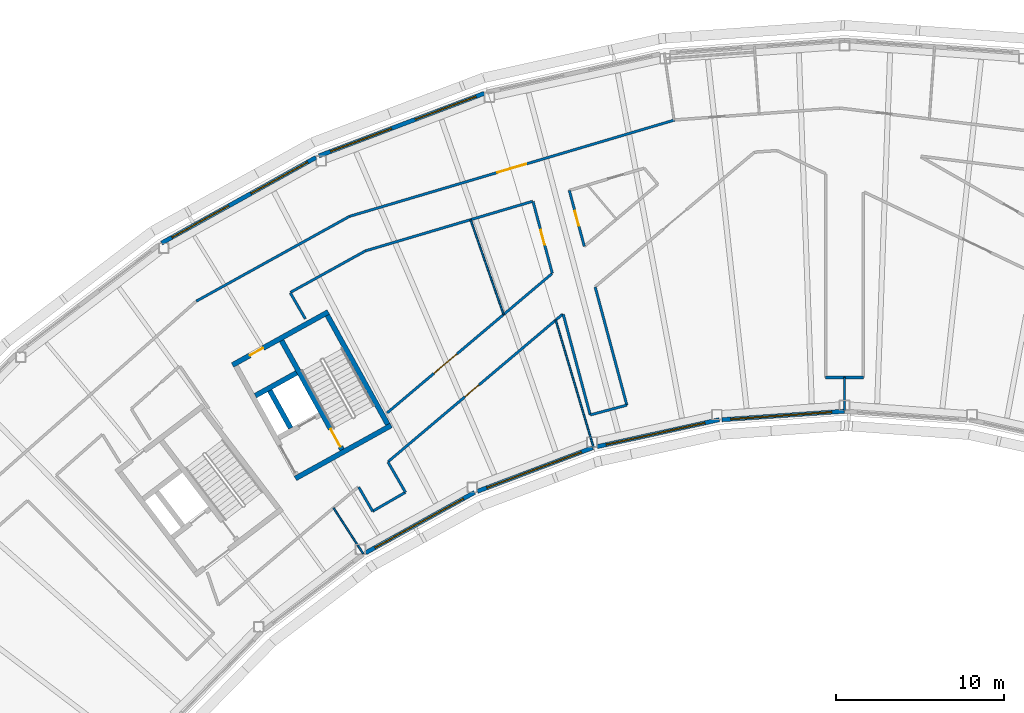
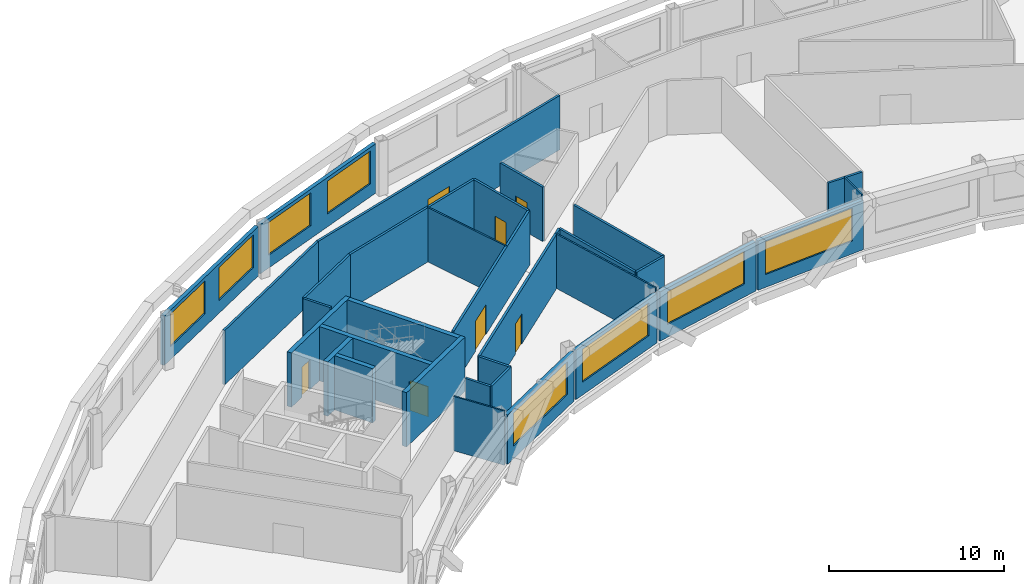
# One storey, part 6 of 17: 32 walls, 8 windows, 7 doors, 15 openings.
"""IFC4 building model written with IfcOpenShell, lengths in metres."""

from ifc_helpers import new_model, si_unit, direction, frame, frame_2d, origin, place, context, subcontext, project, spatial, rectangle, extrude, material, layer, layer_set, type_object, element, fill, save


model = new_model("IFC4")

# Units and contexts
model_context = context("Model", 3, precision=1e-05, world=origin(), true_north=direction((0.0, 1.0)))
body_context = subcontext(model_context, "Body", "Model", "MODEL_VIEW")
ifc_project = project(units=[si_unit("LENGTHUNIT", "METRE"), si_unit("AREAUNIT", "SQUARE_METRE"), si_unit("VOLUMEUNIT", "CUBIC_METRE"), si_unit("PLANEANGLEUNIT", "RADIAN"), si_unit("MASSUNIT", "GRAM", prefix="KILO")], contexts=[model_context])

# Site, building, storey
site_placement = place(None, origin())
site = spatial("IfcSite", under=ifc_project, at=site_placement, CompositionType="ELEMENT")
building_placement = place(site_placement, origin())
building = spatial("IfcBuilding", under=site, at=building_placement, Name="Tuul Gate Civic Tower", CompositionType="ELEMENT")
storey_placement = place(building_placement, frame((0.0, 0.0, 344.89990234375)))
storey = spatial("IfcBuildingStorey", under=building, at=storey_placement, Name="Level 78", CompositionType="ELEMENT", Elevation=344.89990234375)

# Walls
ifc_material_1 = material(Name="Concrete C50/60", Category="concrete")
ifc_layer_1 = layer(ifc_material_1, 0.300048828125)
ifc_layer_set_1 = layer_set([ifc_layer_1], Name="Concrete C50/60")
wall_type_1 = type_object("IfcWallType", Name="Core wall C50/60", PredefinedType="SHEAR", material=ifc_layer_set_1)
wall_1_placement = place(storey_placement, frame((-24.711669921875, -8.7158203125, 0.0), z_axis=(0.0, 0.0, 1.0), x_axis=(-0.874629909008, -0.484791215132, 0.0)))
element("IfcWall", 1, at=wall_1_placement, inside=storey, type_object=wall_type_1, Name="Core wall", PredefinedType="SHEAR", context=body_context, shape_type="SweptSolid", body=[
    extrude(rectangle(XDim=6.5, YDim=0.300048828125, at=frame_2d((3.25, 0.0))), origin(), (0.0, 0.0, 1.0), 3.800048828125),
])
wall_2_placement = place(storey_placement, frame((-30.327392578125, -5.59716796875, 0.0), z_axis=(0.0, 0.0, 1.0), x_axis=(-0.874629840737, -0.484791338301, 0.0)))
element("IfcWall", 2, at=wall_2_placement, inside=storey, type_object=wall_type_1, Name="Core wall", PredefinedType="SHEAR", context=body_context, shape_type="SweptSolid", body=[
    extrude(rectangle(XDim=2.800048828125, YDim=0.300048828125, at=frame_2d((1.39990234375, 0.0))), origin(), (0.0, 0.0, 1.0), 3.800048828125),
])

# Wall, opening, door
wall_3_placement = place(storey_placement, frame((-28.4443359375, -1.98095703125, 0.0), z_axis=(0.0, 0.0, 1.0), x_axis=(-0.874629909008, -0.484791215132, 0.0)))
wall_3 = element("IfcWall", 3, at=wall_3_placement, inside=storey, type_object=wall_type_1, Name="Core wall", PredefinedType="SHEAR", context=body_context, shape_type="SweptSolid", body=[
    extrude(rectangle(XDim=6.5, YDim=0.300048828125, at=frame_2d((3.25, 0.0))), origin(), (0.0, 0.0, 1.0), 3.800048828125),
])
opening_1_placement = place(wall_3_placement, frame((4.425048828125, 0.0, 0.0)))
opening_1 = element("IfcOpeningElement", 4, at=opening_1_placement, cuts=wall_3, Name="Opening AC-D19", PredefinedType="OPENING", context=body_context, shape_type="SweptSolid", body=[
    extrude(rectangle(XDim=0.89990234375, YDim=2.10009765625, at=frame_2d((0.449951171875, 1.050048828125))), frame((0.0, 0.16015625, 0.0), z_axis=(0.0, -1.0, 0.0), x_axis=(1.0, 0.0, 0.0)), (0.0, 0.0, 1.0), 0.320068359375),
])
ifc_material_2 = material(Name="Timber door leaf", Category="wood")
door_type_1 = type_object("IfcDoorType", Name="Door D09", OperationType="NOTDEFINED", PredefinedType="DOOR", material=ifc_material_2)
door_1_placement = place(opening_1_placement, origin())
door_1 = element("IfcDoor", 5, at=door_1_placement, inside=storey, type_object=door_type_1, Name="Door AC-D19", OperationType="SINGLE_SWING_LEFT", OverallHeight=2.10009765625, OverallWidth=0.89990234375, PredefinedType="DOOR", context=body_context, shape_type="SweptSolid", body=[
    extrude(rectangle(XDim=0.89990234375, YDim=2.10009765625, at=frame_2d((0.449951171875, 1.050048828125))), frame((0.0, 0.02490234375, 0.0), z_axis=(0.0, -1.0, 0.0), x_axis=(1.0, 0.0, 0.0)), (0.0, 0.0, 1.0), 0.050048828125),
])
fill(opening_1, door_1)

# Wall
wall_4_placement = place(storey_placement, frame((-24.91552734375, -8.6572265625, 0.0), z_axis=(0.0, 0.0, 1.0), x_axis=(-0.484777133038, 0.874637714304, 0.0)))
element("IfcWall", 6, at=wall_4_placement, inside=storey, type_object=wall_type_1, Name="Core wall", PredefinedType="SHEAR", context=body_context, shape_type="SweptSolid", body=[
    extrude(rectangle(XDim=7.400146484375, YDim=0.300048828125, at=frame_2d((3.7001953125, 0.0))), origin(), (0.0, 0.0, 1.0), 3.800048828125),
])

# Wall, opening, door
wall_5_placement = place(storey_placement, frame((-27.626953125, -10.16015625, 0.0), z_axis=(0.0, 0.0, 1.0), x_axis=(-0.484751894226, 0.874651702704, 0.0)))
wall_5 = element("IfcWall", 7, at=wall_5_placement, inside=storey, type_object=wall_type_1, Name="Core wall", PredefinedType="SHEAR", context=body_context, shape_type="SweptSolid", body=[
    extrude(rectangle(XDim=7.39990234375, YDim=0.300048828125, at=frame_2d((3.699951171875, 0.0))), origin(), (0.0, 0.0, 1.0), 3.800048828125),
])
opening_2_placement = place(wall_5_placement, frame((0.199951171875, 0.0, 0.0)))
opening_2 = element("IfcOpeningElement", 8, at=opening_2_placement, cuts=wall_5, Name="Opening SD-ST-2", PredefinedType="OPENING", context=body_context, shape_type="SweptSolid", body=[
    extrude(rectangle(XDim=1.199951171875, YDim=2.10009765625, at=frame_2d((0.60009765625, 1.050048828125))), frame((0.0, 0.16015625, 0.0), z_axis=(0.0, -1.0, 0.0), x_axis=(1.0, 0.0, 0.0)), (0.0, 0.0, 1.0), 0.320068359375),
])
ifc_material_3 = material(Name="Steel", Category="steel")
door_type_2 = type_object("IfcDoorType", Name="Stair door", OperationType="NOTDEFINED", PredefinedType="DOOR", material=ifc_material_3)
door_2_placement = place(opening_2_placement, origin())
door_2 = element("IfcDoor", 9, at=door_2_placement, inside=storey, type_object=door_type_2, Name="Stair door ST-2", OperationType="SINGLE_SWING_LEFT", OverallHeight=2.10009765625, OverallWidth=1.199951171875, PredefinedType="DOOR", context=body_context, shape_type="SweptSolid", body=[
    extrude(rectangle(XDim=1.199951171875, YDim=2.10009765625, at=frame_2d((0.60009765625, 1.050048828125))), frame((0.0, 0.02490234375, 0.0), z_axis=(0.0, -1.0, 0.0), x_axis=(1.0, 0.0, 0.0)), (0.0, 0.0, 1.0), 0.050048828125),
])
fill(opening_2, door_2)

# Wall
wall_6_placement = place(storey_placement, frame((-30.680419921875, -8.8798828125, 0.0), z_axis=(0.0, 0.0, 1.0), x_axis=(-0.484724115216, 0.874667097888, 0.0)))
element("IfcWall", 10, at=wall_6_placement, inside=storey, type_object=wall_type_1, Name="Core wall", PredefinedType="SHEAR", context=body_context, shape_type="SweptSolid", body=[
    extrude(rectangle(XDim=2.550048828125, YDim=0.300048828125, at=frame_2d((1.27490234375, 0.0))), origin(), (0.0, 0.0, 1.0), 3.800048828125),
])

# Wall, opening, door
ifc_material_4 = material(Name="Gypsum board partition")
ifc_layer_2 = layer(ifc_material_4, 0.14990234375)
ifc_layer_set_2 = layer_set([ifc_layer_2], Name="Gypsum board partition")
wall_type_2 = type_object("IfcWallType", Name="Corridor wall P150", PredefinedType="PARTITIONING", material=ifc_layer_set_2)
wall_7_placement = place(storey_placement, frame((-27.177978515625, 3.693603515625, 0.0), z_axis=(0.0, 0.0, 1.0), x_axis=(0.958781227453, 0.284145311213, 0.0)))
wall_7 = element("IfcWall", 11, at=wall_7_placement, inside=storey, type_object=wall_type_2, Name="p018", PredefinedType="PARTITIONING", context=body_context, shape_type="SweptSolid", body=[
    extrude(rectangle(XDim=20.13134765625, YDim=0.14990234375, at=frame_2d((10.065673828125, 0.0))), origin(), (0.0, 0.0, 1.0), 3.800048828125),
])
opening_3_placement = place(wall_7_placement, frame((9.140380859375, 0.0, 0.0)))
opening_3 = element("IfcOpeningElement", 12, at=opening_3_placement, cuts=wall_7, Name="Opening AC-D04", PredefinedType="OPENING", context=body_context, shape_type="SweptSolid", body=[
    extrude(rectangle(XDim=1.800048828125, YDim=2.10009765625, at=frame_2d((0.89990234375, 1.050048828125))), frame((0.0, 0.0849609375, 0.0), z_axis=(0.0, -1.0, 0.0), x_axis=(1.0, 0.0, 0.0)), (0.0, 0.0, 1.0), 0.169921875),
])
ifc_material_5 = material(Name="Timber door leaf, double", Category="wood")
door_type_3 = type_object("IfcDoorType", Name="Door D18", OperationType="DOUBLE_DOOR_SINGLE_SWING", PredefinedType="DOOR", material=ifc_material_5)
door_3_placement = place(opening_3_placement, origin())
door_3 = element("IfcDoor", 13, at=door_3_placement, inside=storey, type_object=door_type_3, Name="Door AC-D04", OperationType="DOUBLE_DOOR_SINGLE_SWING", OverallHeight=2.10009765625, OverallWidth=1.800048828125, PredefinedType="DOOR", context=body_context, shape_type="SweptSolid", body=[
    extrude(rectangle(XDim=1.800048828125, YDim=2.10009765625, at=frame_2d((0.89990234375, 1.050048828125))), frame((0.0, 0.02490234375, 0.0), z_axis=(0.0, -1.0, 0.0), x_axis=(1.0, 0.0, 0.0)), (0.0, 0.0, 1.0), 0.050048828125),
])
fill(opening_3, door_3)

# Walls
wall_8_placement = place(storey_placement, frame((-36.275146484375, -1.340576171875, 0.0), z_axis=(0.0, 0.0, 1.0), x_axis=(0.874962498596, 0.484190691826, 0.0)))
element("IfcWall", 14, at=wall_8_placement, inside=storey, type_object=wall_type_2, Name="p021", PredefinedType="PARTITIONING", context=body_context, shape_type="SweptSolid", body=[
    extrude(rectangle(XDim=10.39599609375, YDim=0.14990234375, at=frame_2d((5.197998046875, 0.0))), origin(), (0.0, 0.0, 1.0), 3.800048828125),
])
for number, where, z_axis, x_axis, name in (
    (15, (1.06689453125, -5.873779296875, 0.0), (0.0, 0.0, 1.0), (1.0, 0.0, 0.0), "p044"),
    (16, (-12.8994140625, -8.095703125, 0.0), (0.0, 0.0, 1.0), (0.965933522054, 0.25879032241, 0.0), "p046"),
):
    element("IfcWall", number, at=place(storey_placement, frame(where, z_axis=z_axis, x_axis=x_axis)), inside=storey, type_object=wall_type_2, Name=name, PredefinedType="PARTITIONING", context=body_context, shape_type="SweptSolid", body=[
        extrude(rectangle(XDim=2.25, YDim=0.14990234375, at=frame_2d((1.125, 0.0))), origin(), (0.0, 0.0, 1.0), 3.800048828125),
    ])

# Wall, opening, door
wall_9_placement = place(storey_placement, frame((-14.14013671875, 5.228515625, 0.0), z_axis=(0.0, 0.0, 1.0), x_axis=(0.258803572303, -0.96592997208, 0.0)))
wall_9 = element("IfcWall", 17, at=wall_9_placement, inside=storey, type_object=wall_type_2, Name="p047", PredefinedType="PARTITIONING", context=body_context, shape_type="SweptSolid", body=[
    extrude(rectangle(XDim=3.435546875, YDim=0.14990234375, at=frame_2d((1.7177734375, 0.0))), origin(), (0.0, 0.0, 1.0), 3.800048828125),
])
opening_4_placement = place(wall_9_placement, frame((1.267822265625, 0.0, 0.0)))
opening_4 = element("IfcOpeningElement", 18, at=opening_4_placement, cuts=wall_9, Name="Opening AC-D17", PredefinedType="OPENING", context=body_context, shape_type="SweptSolid", body=[
    extrude(rectangle(XDim=0.89990234375, YDim=2.10009765625, at=frame_2d((0.449951171875, 1.050048828125))), frame((0.0, 0.0849609375, 0.0), z_axis=(0.0, -1.0, 0.0), x_axis=(1.0, 0.0, 0.0)), (0.0, 0.0, 1.0), 0.169921875),
])
door_4_placement = place(opening_4_placement, frame((0.89990234375, 0.0, 0.0), z_axis=(0.0, 0.0, 1.0), x_axis=(-1.0, 0.0, 0.0)))
door_4 = element("IfcDoor", 19, at=door_4_placement, inside=storey, type_object=door_type_1, Name="Door AC-D17", OperationType="SINGLE_SWING_LEFT", OverallHeight=2.10009765625, OverallWidth=0.89990234375, PredefinedType="DOOR", context=body_context, shape_type="SweptSolid", body=[
    extrude(rectangle(XDim=0.89990234375, YDim=2.10009765625, at=frame_2d((0.449951171875, 1.050048828125))), frame((0.0, 0.02490234375, 0.0), z_axis=(0.0, -1.0, 0.0), x_axis=(1.0, 0.0, 0.0)), (0.0, 0.0, 1.0), 0.050048828125),
])
fill(opening_4, door_4)

# Wall
wall_10_placement = place(storey_placement, frame((-12.60400390625, -0.504150390625, 0.0), z_axis=(0.0, 0.0, 1.0), x_axis=(0.258793263352, -0.965932734119, 0.0)))
element("IfcWall", 20, at=wall_10_placement, inside=storey, type_object=wall_type_2, Name="p048", PredefinedType="PARTITIONING", context=body_context, shape_type="SweptSolid", body=[
    extrude(rectangle(XDim=7.256591796875, YDim=0.14990234375, at=frame_2d((3.62841796875, 0.0))), origin(), (0.0, 0.0, 1.0), 3.800048828125),
])

# Wall, opening, door
wall_11_placement = place(storey_placement, frame((-24.89501953125, -10.871826171875, 0.0), z_axis=(0.0, 0.0, 1.0), x_axis=(0.763910250036, 0.645322500684, 0.0)))
wall_11 = element("IfcWall", 21, at=wall_11_placement, inside=storey, type_object=wall_type_2, Name="p050", PredefinedType="PARTITIONING", context=body_context, shape_type="SweptSolid", body=[
    extrude(rectangle(XDim=13.567138671875, YDim=0.14990234375, at=frame_2d((6.78369140625, 0.0))), origin(), (0.0, 0.0, 1.0), 3.800048828125),
])
opening_5_placement = place(wall_11_placement, frame((5.960205078125, 0.0, 0.0)))
opening_5 = element("IfcOpeningElement", 22, at=opening_5_placement, cuts=wall_11, Name="Opening AC-D09", PredefinedType="OPENING", context=body_context, shape_type="SweptSolid", body=[
    extrude(rectangle(XDim=1.10009765625, YDim=2.10009765625, at=frame_2d((0.550048828125, 1.050048828125))), frame((0.0, 0.0849609375, 0.0), z_axis=(0.0, -1.0, 0.0), x_axis=(1.0, 0.0, 0.0)), (0.0, 0.0, 1.0), 0.169921875),
])
ifc_material_6 = material(Name="Timber door leaf", Category="wood")
door_type_4 = type_object("IfcDoorType", Name="Door D11", OperationType="NOTDEFINED", PredefinedType="DOOR", material=ifc_material_6)
door_5_placement = place(opening_5_placement, frame((1.10009765625, 0.0, 0.0), z_axis=(0.0, 0.0, 1.0), x_axis=(-1.0, 0.0, 0.0)))
door_5 = element("IfcDoor", 23, at=door_5_placement, inside=storey, type_object=door_type_4, Name="Door AC-D09", OperationType="SINGLE_SWING_LEFT", OverallHeight=2.10009765625, OverallWidth=1.10009765625, PredefinedType="DOOR", context=body_context, shape_type="SweptSolid", body=[
    extrude(rectangle(XDim=1.10009765625, YDim=2.10009765625, at=frame_2d((0.550048828125, 1.050048828125))), frame((0.0, 0.02490234375, 0.0), z_axis=(0.0, -1.0, 0.0), x_axis=(1.0, 0.0, 0.0)), (0.0, 0.0, 1.0), 0.050048828125),
])
fill(opening_5, door_5)

wall_12_placement = place(storey_placement, frame((-16.29296875, 4.569091796875, 0.0), z_axis=(0.0, 0.0, 1.0), x_axis=(0.258801699192, -0.965930473945, 0.0)))
wall_12 = element("IfcWall", 24, at=wall_12_placement, inside=storey, type_object=wall_type_2, Name="p054", PredefinedType="PARTITIONING", context=body_context, shape_type="SweptSolid", body=[
    extrude(rectangle(XDim=4.401611328125, YDim=0.14990234375, at=frame_2d((2.20068359375, 0.0))), origin(), (0.0, 0.0, 1.0), 3.800048828125),
])
opening_6_placement = place(wall_12_placement, frame((1.750732421875, 0.0, 0.0)))
opening_6 = element("IfcOpeningElement", 25, at=opening_6_placement, cuts=wall_12, Name="Opening AC-D15", PredefinedType="OPENING", context=body_context, shape_type="SweptSolid", body=[
    extrude(rectangle(XDim=0.89990234375, YDim=2.10009765625, at=frame_2d((0.449951171875, 1.050048828125))), frame((0.0, 0.0849609375, 0.0), z_axis=(0.0, -1.0, 0.0), x_axis=(1.0, 0.0, 0.0)), (0.0, 0.0, 1.0), 0.169921875),
])
door_6_placement = place(opening_6_placement, frame((0.89990234375, 0.0, 0.0), z_axis=(0.0, 0.0, 1.0), x_axis=(-1.0, 0.0, 0.0)))
door_6 = element("IfcDoor", 26, at=door_6_placement, inside=storey, type_object=door_type_1, Name="Door AC-D15", OperationType="SINGLE_SWING_LEFT", OverallHeight=2.10009765625, OverallWidth=0.89990234375, PredefinedType="DOOR", context=body_context, shape_type="SweptSolid", body=[
    extrude(rectangle(XDim=0.89990234375, YDim=2.10009765625, at=frame_2d((0.449951171875, 1.050048828125))), frame((0.0, 0.02490234375, 0.0), z_axis=(0.0, -1.0, 0.0), x_axis=(1.0, 0.0, 0.0)), (0.0, 0.0, 1.0), 0.050048828125),
])
fill(opening_6, door_6)

# Walls
wall_13_placement = place(storey_placement, frame((-14.498779296875, -2.126953125, 0.0), z_axis=(0.0, 0.0, 1.0), x_axis=(0.258825611946, -0.965924066685, 0.0)))
element("IfcWall", 27, at=wall_13_placement, inside=storey, type_object=wall_type_2, Name="p055", PredefinedType="PARTITIONING", context=body_context, shape_type="SweptSolid", body=[
    extrude(rectangle(XDim=6.17919921875, YDim=0.14990234375, at=frame_2d((3.089599609375, 0.0))), origin(), (0.0, 0.0, 1.0), 3.800048828125),
])
wall_14_placement = place(storey_placement, frame((-26.641845703125, -12.37890625, 0.0), z_axis=(0.0, 0.0, 1.0), x_axis=(0.49997779057, -0.866038226025, 0.0)))
element("IfcWall", 28, at=wall_14_placement, inside=storey, type_object=wall_type_2, Name="p057", PredefinedType="PARTITIONING", context=body_context, shape_type="SweptSolid", body=[
    extrude(rectangle(XDim=1.6552734375, YDim=0.14990234375, at=frame_2d((0.82763671875, 0.0))), origin(), (0.0, 0.0, 1.0), 3.800048828125),
])
wall_15_placement = place(storey_placement, frame((-25.813720703125, -13.8125, 0.0), z_axis=(0.0, 0.0, 1.0), x_axis=(0.866030125237, 0.499991822116, 0.0)))
element("IfcWall", 29, at=wall_15_placement, inside=storey, type_object=wall_type_2, Name="p058", PredefinedType="PARTITIONING", context=body_context, shape_type="SweptSolid", body=[
    extrude(rectangle(XDim=2.2490234375, YDim=0.14990234375, at=frame_2d((1.12451171875, 0.0))), origin(), (0.0, 0.0, 1.0), 3.800048828125),
])
wall_16_placement = place(storey_placement, frame((-30.699951171875, -0.85009765625, 0.0), z_axis=(0.0, 0.0, 1.0), x_axis=(0.500026652407, -0.866010015463, 0.0)))
element("IfcWall", 30, at=wall_16_placement, inside=storey, type_object=wall_type_2, Name="p059", PredefinedType="PARTITIONING", context=body_context, shape_type="SweptSolid", body=[
    extrude(rectangle(XDim=1.783203125, YDim=0.14990234375, at=frame_2d((0.8916015625, 0.0))), origin(), (0.0, 0.0, 1.0), 3.800048828125),
])
wall_17_placement = place(storey_placement, frame((-24.899169921875, -10.8974609375, 0.0), z_axis=(0.0, 0.0, 1.0), x_axis=(0.499988291006, -0.866032163869, 0.0)))
element("IfcWall", 31, at=wall_17_placement, inside=storey, type_object=wall_type_2, Name="p060", PredefinedType="PARTITIONING", context=body_context, shape_type="SweptSolid", body=[
    extrude(rectangle(XDim=2.06689453125, YDim=0.14990234375, at=frame_2d((1.033447265625, 0.0))), origin(), (0.0, 0.0, 1.0), 3.800048828125),
])
wall_18_placement = place(storey_placement, frame((-26.236572265625, 1.643310546875, 0.0), z_axis=(0.0, 0.0, 1.0), x_axis=(0.958776444815, 0.284161448594, 0.0)))
element("IfcWall", 32, at=wall_18_placement, inside=storey, type_object=wall_type_2, Name="p069", PredefinedType="PARTITIONING", context=body_context, shape_type="SweptSolid", body=[
    extrude(rectangle(XDim=10.34521484375, YDim=0.14990234375, at=frame_2d((5.172607421875, 0.0))), origin(), (0.0, 0.0, 1.0), 3.800048828125),
])

# Wall, opening, door
wall_19_placement = place(storey_placement, frame((-24.951416015625, -7.974365234375, 0.0), z_axis=(0.0, 0.0, 1.0), x_axis=(0.763902624366, 0.645331527578, 0.0)))
wall_19 = element("IfcWall", 33, at=wall_19_placement, inside=storey, type_object=wall_type_2, Name="p072", PredefinedType="PARTITIONING", context=body_context, shape_type="SweptSolid", body=[
    extrude(rectangle(XDim=12.8173828125, YDim=0.14990234375, at=frame_2d((6.40869140625, 0.0))), origin(), (0.0, 0.0, 1.0), 3.800048828125),
])
opening_7_placement = place(wall_19_placement, frame((3.623779296875, 0.0, 0.0)))
opening_7 = element("IfcOpeningElement", 34, at=opening_7_placement, cuts=wall_19, Name="Opening AC-D16", PredefinedType="OPENING", context=body_context, shape_type="SweptSolid", body=[
    extrude(rectangle(XDim=1.800048828125, YDim=2.10009765625, at=frame_2d((0.89990234375, 1.050048828125))), frame((0.0, 0.0849609375, 0.0), z_axis=(0.0, -1.0, 0.0), x_axis=(1.0, 0.0, 0.0)), (0.0, 0.0, 1.0), 0.169921875),
])
door_7_placement = place(opening_7_placement, origin())
door_7 = element("IfcDoor", 35, at=door_7_placement, inside=storey, type_object=door_type_3, Name="Door AC-D16", OperationType="DOUBLE_DOOR_SINGLE_SWING", OverallHeight=2.10009765625, OverallWidth=1.800048828125, PredefinedType="DOOR", context=body_context, shape_type="SweptSolid", body=[
    extrude(rectangle(XDim=1.800048828125, YDim=2.10009765625, at=frame_2d((0.89990234375, 1.050048828125))), frame((0.0, 0.02490234375, 0.0), z_axis=(0.0, -1.0, 0.0), x_axis=(1.0, 0.0, 0.0)), (0.0, 0.0, 1.0), 0.050048828125),
])
fill(opening_7, door_7)

# Wall
wall_20_placement = place(storey_placement, frame((-30.6923828125, -0.822509765625, 0.0), z_axis=(0.0, 0.0, 1.0), x_axis=(0.874979165869, 0.48416057181, 0.0)))
element("IfcWall", 36, at=wall_20_placement, inside=storey, type_object=wall_type_2, Name="p089", PredefinedType="PARTITIONING", context=body_context, shape_type="SweptSolid", body=[
    extrude(rectangle(XDim=5.092529296875, YDim=0.14990234375, at=frame_2d((2.54638671875, 0.0))), origin(), (0.0, 0.0, 1.0), 3.800048828125),
])

# Wall, openings, windows
ifc_material_7 = material(Name="Precast concrete C40/50", Category="concrete")
ifc_layer_3 = layer(ifc_material_7, 0.25)
ifc_layer_set_3 = layer_set([ifc_layer_3], Name="Precast concrete C40/50")
wall_type_3 = type_object("IfcWallType", Name="External wall", PredefinedType="STANDARD", material=ifc_layer_set_3)
wall_21_placement = place(storey_placement, frame((-19.18505859375, 10.992431640625, 0.0), z_axis=(0.0, 0.0, 1.0), x_axis=(-0.935341215918, -0.353746815964, 0.0)))
wall_21 = element("IfcWall", 37, at=wall_21_placement, inside=storey, type_object=wall_type_3, Name="External wall", PredefinedType="STANDARD", context=body_context, shape_type="SweptSolid", body=[
    extrude(rectangle(XDim=10.489013671875, YDim=0.25, at=frame_2d((5.24462890625, 0.0))), origin(), (0.0, 0.0, 1.0), 3.4501953125),
])
opening_8_placement = place(wall_21_placement, frame((0.529541015625, 0.0, 0.89990234375)))
opening_8 = element("IfcOpeningElement", 38, at=opening_8_placement, cuts=wall_21, Name="Opening W22", PredefinedType="OPENING", context=body_context, shape_type="SweptSolid", body=[
    extrude(rectangle(XDim=3.85009765625, YDim=2.300048828125, at=frame_2d((1.925048828125, 1.14990234375))), frame((0.0, 0.135009765625, 0.0), z_axis=(0.0, -1.0, 0.0), x_axis=(1.0, 0.0, 0.0)), (0.0, 0.0, 1.0), 0.27001953125),
])
opening_9_placement = place(wall_21_placement, frame((5.900634765625, 0.0, 0.89990234375)))
opening_9 = element("IfcOpeningElement", 39, at=opening_9_placement, cuts=wall_21, Name="Opening W22", PredefinedType="OPENING", context=body_context, shape_type="SweptSolid", body=[
    extrude(rectangle(XDim=3.85009765625, YDim=2.300048828125, at=frame_2d((1.925048828125, 1.14990234375))), frame((0.0, 0.135009765625, 0.0), z_axis=(0.0, -1.0, 0.0), x_axis=(1.0, 0.0, 0.0)), (0.0, 0.0, 1.0), 0.27001953125),
])
ifc_material_8 = material(Name="Glass", Category="glass")
window_type_1 = type_object("IfcWindowType", Name="Window W22 3850 x 2300", PartitioningType="SINGLE_PANEL", PredefinedType="WINDOW", material=ifc_material_8)
window_1_placement = place(opening_8_placement, origin())
window_1 = element("IfcWindow", 40, at=window_1_placement, inside=storey, type_object=window_type_1, Name="Window", OverallHeight=2.300048828125, OverallWidth=3.85009765625, PartitioningType="SINGLE_PANEL", PredefinedType="WINDOW", context=body_context, shape_type="SweptSolid", body=[
    extrude(rectangle(XDim=3.85009765625, YDim=2.300048828125, at=frame_2d((1.925048828125, 1.14990234375))), frame((0.0, 0.030029296875, 0.0), z_axis=(0.0, -1.0, 0.0), x_axis=(1.0, 0.0, 0.0)), (0.0, 0.0, 1.0), 0.06005859375),
])
fill(opening_8, window_1)
window_2_placement = place(opening_9_placement, origin())
window_2 = element("IfcWindow", 41, at=window_2_placement, inside=storey, type_object=window_type_1, Name="Window", OverallHeight=2.300048828125, OverallWidth=3.85009765625, PartitioningType="SINGLE_PANEL", PredefinedType="WINDOW", context=body_context, shape_type="SweptSolid", body=[
    extrude(rectangle(XDim=3.85009765625, YDim=2.300048828125, at=frame_2d((1.925048828125, 1.14990234375))), frame((0.0, 0.030029296875, 0.0), z_axis=(0.0, -1.0, 0.0), x_axis=(1.0, 0.0, 0.0)), (0.0, 0.0, 1.0), 0.06005859375),
])
fill(opening_9, window_2)

wall_22_placement = place(storey_placement, frame((-29.172119140625, 7.1865234375, 0.0), z_axis=(0.0, 0.0, 1.0), x_axis=(-0.874628192599, -0.484794311756, 0.0)))
wall_22 = element("IfcWall", 42, at=wall_22_placement, inside=storey, type_object=wall_type_3, Name="External wall", PredefinedType="STANDARD", context=body_context, shape_type="SweptSolid", body=[
    extrude(rectangle(XDim=10.48193359375, YDim=0.25, at=frame_2d((5.240966796875, 0.0))), origin(), (0.0, 0.0, 1.0), 3.4501953125),
])
opening_10_placement = place(wall_22_placement, frame((0.564453125, 0.0, 0.89990234375)))
opening_10 = element("IfcOpeningElement", 43, at=opening_10_placement, cuts=wall_22, Name="Opening W22", PredefinedType="OPENING", context=body_context, shape_type="SweptSolid", body=[
    extrude(rectangle(XDim=3.85009765625, YDim=2.300048828125, at=frame_2d((1.925048828125, 1.14990234375))), frame((0.0, 0.135009765625, 0.0), z_axis=(0.0, -1.0, 0.0), x_axis=(1.0, 0.0, 0.0)), (0.0, 0.0, 1.0), 0.27001953125),
])
opening_11_placement = place(wall_22_placement, frame((5.93603515625, 0.0, 0.89990234375)))
opening_11 = element("IfcOpeningElement", 44, at=opening_11_placement, cuts=wall_22, Name="Opening W22", PredefinedType="OPENING", context=body_context, shape_type="SweptSolid", body=[
    extrude(rectangle(XDim=3.85009765625, YDim=2.300048828125, at=frame_2d((1.925048828125, 1.14990234375))), frame((0.0, 0.135009765625, 0.0), z_axis=(0.0, -1.0, 0.0), x_axis=(1.0, 0.0, 0.0)), (0.0, 0.0, 1.0), 0.27001953125),
])
window_3_placement = place(opening_10_placement, origin())
window_3 = element("IfcWindow", 45, at=window_3_placement, inside=storey, type_object=window_type_1, Name="Window", OverallHeight=2.300048828125, OverallWidth=3.85009765625, PartitioningType="SINGLE_PANEL", PredefinedType="WINDOW", context=body_context, shape_type="SweptSolid", body=[
    extrude(rectangle(XDim=3.85009765625, YDim=2.300048828125, at=frame_2d((1.925048828125, 1.14990234375))), frame((0.0, 0.030029296875, 0.0), z_axis=(0.0, -1.0, 0.0), x_axis=(1.0, 0.0, 0.0)), (0.0, 0.0, 1.0), 0.06005859375),
])
fill(opening_10, window_3)
window_4_placement = place(opening_11_placement, origin())
window_4 = element("IfcWindow", 46, at=window_4_placement, inside=storey, type_object=window_type_1, Name="Window", OverallHeight=2.300048828125, OverallWidth=3.85009765625, PartitioningType="SINGLE_PANEL", PredefinedType="WINDOW", context=body_context, shape_type="SweptSolid", body=[
    extrude(rectangle(XDim=3.85009765625, YDim=2.300048828125, at=frame_2d((1.925048828125, 1.14990234375))), frame((0.0, 0.030029296875, 0.0), z_axis=(0.0, -1.0, 0.0), x_axis=(1.0, 0.0, 0.0)), (0.0, 0.0, 1.0), 0.06005859375),
])
fill(opening_11, window_4)

# Wall, opening, window
wall_23_placement = place(storey_placement, frame((-26.235107421875, -16.28173828125, 0.0), z_axis=(0.0, 0.0, 1.0), x_axis=(0.874627082256, 0.484796314945, 0.0)))
wall_23 = element("IfcWall", 47, at=wall_23_placement, inside=storey, type_object=wall_type_3, Name="External wall", PredefinedType="STANDARD", context=body_context, shape_type="SweptSolid", body=[
    extrude(rectangle(XDim=7.396240234375, YDim=0.25, at=frame_2d((3.6982421875, 0.0))), origin(), (0.0, 0.0, 1.0), 3.4501953125),
])
opening_12_placement = place(wall_23_placement, frame((0.633544921875, 0.0, 0.89990234375)))
opening_12 = element("IfcOpeningElement", 48, at=opening_12_placement, cuts=wall_23, Name="Opening W26", PredefinedType="OPENING", context=body_context, shape_type="SweptSolid", body=[
    extrude(rectangle(XDim=6.0, YDim=2.300048828125, at=frame_2d((3.0, 1.14990234375))), frame((0.0, 0.135009765625, 0.0), z_axis=(0.0, -1.0, 0.0), x_axis=(1.0, 0.0, 0.0)), (0.0, 0.0, 1.0), 0.27001953125),
])
ifc_material_9 = material(Name="Glass", Category="glass")
window_type_2 = type_object("IfcWindowType", Name="Window W26 6000 x 2300", PartitioningType="SINGLE_PANEL", PredefinedType="WINDOW", material=ifc_material_9)
window_5_placement = place(opening_12_placement, origin())
window_5 = element("IfcWindow", 49, at=window_5_placement, inside=storey, type_object=window_type_2, Name="Window", OverallHeight=2.300048828125, OverallWidth=6.0, PartitioningType="SINGLE_PANEL", PredefinedType="WINDOW", context=body_context, shape_type="SweptSolid", body=[
    extrude(rectangle(XDim=6.0, YDim=2.300048828125, at=frame_2d((3.0, 1.14990234375))), frame((0.0, 0.030029296875, 0.0), z_axis=(0.0, -1.0, 0.0), x_axis=(1.0, 0.0, 0.0)), (0.0, 0.0, 1.0), 0.06005859375),
])
fill(opening_12, window_5)

wall_24_placement = place(storey_placement, frame((-19.594970703125, -12.6298828125, 0.0), z_axis=(0.0, 0.0, 1.0), x_axis=(0.935356646056, 0.353706014478, 0.0)))
wall_24 = element("IfcWall", 50, at=wall_24_placement, inside=storey, type_object=wall_type_3, Name="External wall", PredefinedType="STANDARD", context=body_context, shape_type="SweptSolid", body=[
    extrude(rectangle(XDim=7.320556640625, YDim=0.25, at=frame_2d((3.66015625, 0.0))), origin(), (0.0, 0.0, 1.0), 3.4501953125),
])
opening_13_placement = place(wall_24_placement, frame((0.598388671875, 0.0, 0.89990234375)))
opening_13 = element("IfcOpeningElement", 51, at=opening_13_placement, cuts=wall_24, Name="Opening W26", PredefinedType="OPENING", context=body_context, shape_type="SweptSolid", body=[
    extrude(rectangle(XDim=6.0, YDim=2.300048828125, at=frame_2d((3.0, 1.14990234375))), frame((0.0, 0.135009765625, 0.0), z_axis=(0.0, -1.0, 0.0), x_axis=(1.0, 0.0, 0.0)), (0.0, 0.0, 1.0), 0.27001953125),
])
window_6_placement = place(opening_13_placement, origin())
window_6 = element("IfcWindow", 52, at=window_6_placement, inside=storey, type_object=window_type_2, Name="Window", OverallHeight=2.300048828125, OverallWidth=6.0, PartitioningType="SINGLE_PANEL", PredefinedType="WINDOW", context=body_context, shape_type="SweptSolid", body=[
    extrude(rectangle(XDim=6.0, YDim=2.300048828125, at=frame_2d((3.0, 1.14990234375))), frame((0.0, 0.030029296875, 0.0), z_axis=(0.0, -1.0, 0.0), x_axis=(1.0, 0.0, 0.0)), (0.0, 0.0, 1.0), 0.06005859375),
])
fill(opening_13, window_6)

wall_25_placement = place(storey_placement, frame((-12.493896484375, -9.977294921875, 0.0), z_axis=(0.0, 0.0, 1.0), x_axis=(0.976558805875, 0.215250780877, 0.0)))
wall_25 = element("IfcWall", 53, at=wall_25_placement, inside=storey, type_object=wall_type_3, Name="External wall", PredefinedType="STANDARD", context=body_context, shape_type="SweptSolid", body=[
    extrude(rectangle(XDim=7.434814453125, YDim=0.25, at=frame_2d((3.71728515625, 0.0))), origin(), (0.0, 0.0, 1.0), 3.4501953125),
])
opening_14_placement = place(wall_25_placement, frame((0.560546875, 0.0, 0.89990234375)))
opening_14 = element("IfcOpeningElement", 54, at=opening_14_placement, cuts=wall_25, Name="Opening W26", PredefinedType="OPENING", context=body_context, shape_type="SweptSolid", body=[
    extrude(rectangle(XDim=6.0, YDim=2.300048828125, at=frame_2d((3.0, 1.14990234375))), frame((0.0, 0.135009765625, 0.0), z_axis=(0.0, -1.0, 0.0), x_axis=(1.0, 0.0, 0.0)), (0.0, 0.0, 1.0), 0.27001953125),
])
window_7_placement = place(opening_14_placement, origin())
window_7 = element("IfcWindow", 55, at=window_7_placement, inside=storey, type_object=window_type_2, Name="Window", OverallHeight=2.300048828125, OverallWidth=6.0, PartitioningType="SINGLE_PANEL", PredefinedType="WINDOW", context=body_context, shape_type="SweptSolid", body=[
    extrude(rectangle(XDim=6.0, YDim=2.300048828125, at=frame_2d((3.0, 1.14990234375))), frame((0.0, 0.030029296875, 0.0), z_axis=(0.0, -1.0, 0.0), x_axis=(1.0, 0.0, 0.0)), (0.0, 0.0, 1.0), 0.06005859375),
])
fill(opening_14, window_7)

wall_26_placement = place(storey_placement, frame((-5.071044921875, -8.3798828125, 0.0), z_axis=(0.0, 0.0, 1.0), x_axis=(0.997594877423, 0.069314215995, 0.0)))
wall_26 = element("IfcWall", 56, at=wall_26_placement, inside=storey, type_object=wall_type_3, Name="External wall", PredefinedType="STANDARD", context=body_context, shape_type="SweptSolid", body=[
    extrude(rectangle(XDim=7.280517578125, YDim=0.25, at=frame_2d((3.64013671875, 0.0))), origin(), (0.0, 0.0, 1.0), 3.4501953125),
])
opening_15_placement = place(wall_26_placement, frame((0.509521484375, 0.0, 0.89990234375)))
opening_15 = element("IfcOpeningElement", 57, at=opening_15_placement, cuts=wall_26, Name="Opening W26", PredefinedType="OPENING", context=body_context, shape_type="SweptSolid", body=[
    extrude(rectangle(XDim=6.0, YDim=2.300048828125, at=frame_2d((3.0, 1.14990234375))), frame((0.0, 0.135009765625, 0.0), z_axis=(0.0, -1.0, 0.0), x_axis=(1.0, 0.0, 0.0)), (0.0, 0.0, 1.0), 0.27001953125),
])
window_8_placement = place(opening_15_placement, origin())
window_8 = element("IfcWindow", 58, at=window_8_placement, inside=storey, type_object=window_type_2, Name="Window", OverallHeight=2.300048828125, OverallWidth=6.0, PartitioningType="SINGLE_PANEL", PredefinedType="WINDOW", context=body_context, shape_type="SweptSolid", body=[
    extrude(rectangle(XDim=6.0, YDim=2.300048828125, at=frame_2d((3.0, 1.14990234375))), frame((0.0, 0.030029296875, 0.0), z_axis=(0.0, -1.0, 0.0), x_axis=(1.0, 0.0, 0.0)), (0.0, 0.0, 1.0), 0.06005859375),
])
fill(opening_15, window_8)

# Walls
ifc_material_10 = material(Name="Gypsum board partition")
ifc_layer_4 = layer(ifc_material_10, 0.10009765625)
ifc_layer_set_4 = layer_set([ifc_layer_4], Name="Gypsum board partition")
wall_type_4 = type_object("IfcWallType", Name="Partition P100", PredefinedType="PARTITIONING", material=ifc_layer_set_4)
wall_27_placement = place(storey_placement, frame((2.19189453125, -7.858642578125, 0.0), z_axis=(0.0, 0.0, 1.0), x_axis=(0.0, 1.0, 0.0)))
element("IfcWall", 59, at=wall_27_placement, inside=storey, type_object=wall_type_4, Name="p036", PredefinedType="PARTITIONING", context=body_context, shape_type="SweptSolid", body=[
    extrude(rectangle(XDim=1.98486328125, YDim=0.10009765625, at=frame_2d((0.992431640625, 0.0))), origin(), (0.0, 0.0, 1.0), 3.800048828125),
])
wall_28_placement = place(storey_placement, frame((-14.948486328125, -2.469482421875, 0.0), z_axis=(0.0, 0.0, 1.0), x_axis=(0.285233957057, -0.958457922781, 0.0)))
element("IfcWall", 60, at=wall_28_placement, inside=storey, type_object=wall_type_4, Name="p045", PredefinedType="PARTITIONING", context=body_context, shape_type="SweptSolid", body=[
    extrude(rectangle(XDim=7.8857421875, YDim=0.10009765625, at=frame_2d((3.94287109375, 0.0))), origin(), (0.0, 0.0, 1.0), 3.800048828125),
])
wall_29_placement = place(storey_placement, frame((-28.1416015625, -13.614990234375, 0.0), z_axis=(0.0, 0.0, 1.0), x_axis=(0.54669811296, -0.83732978765, 0.0)))
element("IfcWall", 61, at=wall_29_placement, inside=storey, type_object=wall_type_4, Name="p056", PredefinedType="PARTITIONING", context=body_context, shape_type="SweptSolid", body=[
    extrude(rectangle(XDim=3.270263671875, YDim=0.10009765625, at=frame_2d((1.63525390625, 0.0))), origin(), (0.0, 0.0, 1.0), 3.800048828125),
])
wall_30_placement = place(storey_placement, frame((-20.00439453125, 3.490478515625, 0.0), z_axis=(0.0, 0.0, 1.0), x_axis=(0.329666024397, -0.944097618024, 0.0)))
element("IfcWall", 62, at=wall_30_placement, inside=storey, type_object=wall_type_4, Name="p088", PredefinedType="PARTITIONING", context=body_context, shape_type="SweptSolid", body=[
    extrude(rectangle(XDim=5.95947265625, YDim=0.10009765625, at=frame_2d((2.979736328125, 0.0))), origin(), (0.0, 0.0, 1.0), 3.800048828125),
])

save(model, "model.ifc")
